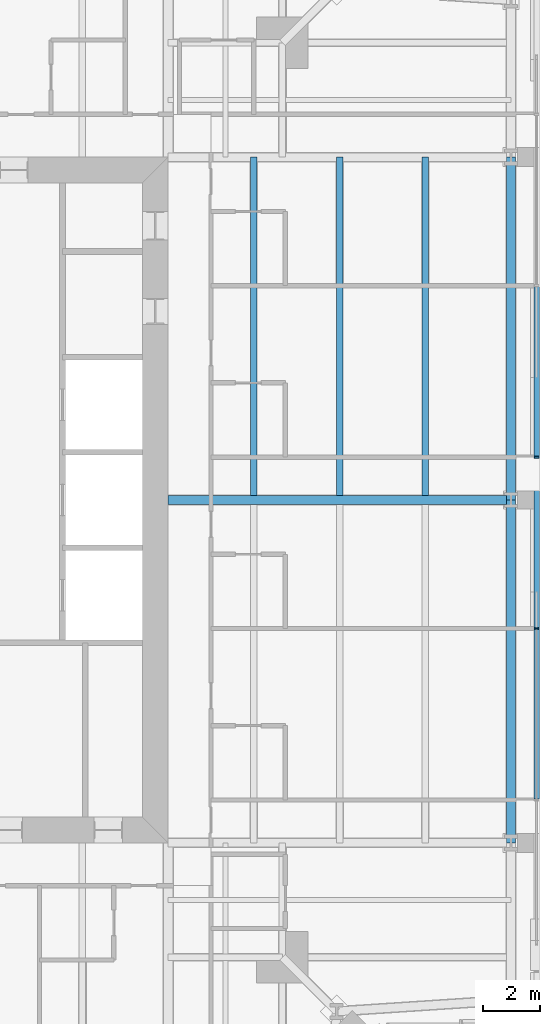
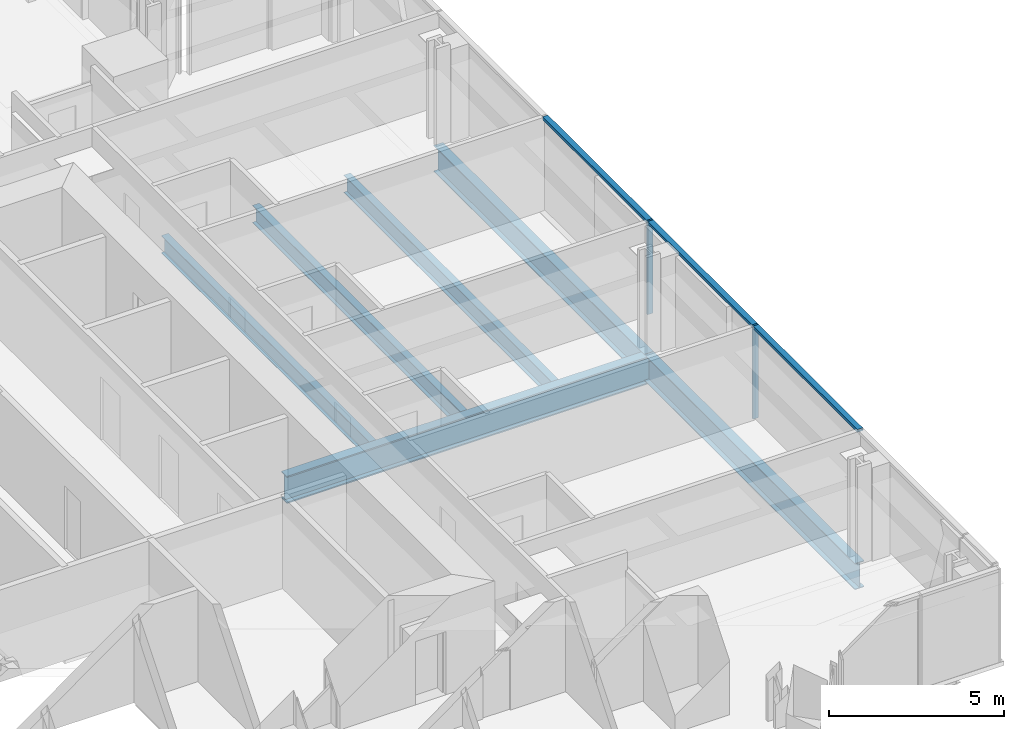
# One storey, part 6 of 20: 6 beams, 5 members, 1 element without a shape of its own.
"""IFC4 building model written with IfcOpenShell, lengths in metres."""

import ifcopenshell
import ifcopenshell.guid

model = None  # the IFC model being written
_history = None  # IfcOwnerHistory: only IFC2X3 demands one
_inside = {}  # id of a spatial element -> (the spatial element, [elements in it])
_under = {}  # id of a project, library or spatial element -> (it, [spatial elements below it])
_declared = {}  # id of a project -> (the project, [libraries it declares])
_typed = {}  # id of a type object -> (the type object, [elements of that type])
_made_of = {}  # id of a material, layer set ... -> (it, [elements and type objects made of it])


def new_model(schema):
    """Start an empty IFC model of exactly this schema.

    Asked for "IFC4X3", IfcOpenShell would pick the latest addendum, in which some entities
    have other attributes; the version numbers below select the first issue.
    IFC2X3 requires an IfcOwnerHistory on every rooted entity: one is made here for all.
    """
    global model, _history
    if schema == "IFC4X3":
        model = ifcopenshell.file(schema_version=(4, 3, 0, 0))
    else:
        model = ifcopenshell.file(schema=schema)
    _inside.clear()
    _under.clear()
    _declared.clear()
    _typed.clear()
    _made_of.clear()
    _history = None
    if model.schema == "IFC2X3":
        org = make("IfcOrganization", Name="unknown")
        user = make(
            "IfcPersonAndOrganization",
            ThePerson=make("IfcPerson", FamilyName="unknown"),
            TheOrganization=org,
        )
        app = make(
            "IfcApplication",
            ApplicationDeveloper=org,
            Version="unknown",
            ApplicationFullName="unknown",
            ApplicationIdentifier="unknown",
        )
        _history = make(
            "IfcOwnerHistory",
            OwningUser=user,
            OwningApplication=app,
            ChangeAction="ADDED",
            CreationDate=0,
        )
    return model


def make(cls, **values):
    """One entity of the class cls with the attributes given. An attribute that is None is left unset."""
    return model.create_entity(
        cls, **{name: value for name, value in values.items() if value is not None}
    )


def rooted(cls, **values):
    """An entity with a GlobalId (a new one), such as an element, a storey or a relation."""
    return make(cls, GlobalId=ifcopenshell.guid.new(), OwnerHistory=_history, **values)


def si_unit(unit_type, name, prefix=None):
    """IfcSIUnit, for example si_unit("LENGTHUNIT", "METRE", prefix="MILLI")."""
    return make("IfcSIUnit", UnitType=unit_type, Prefix=prefix, Name=name)


def assignment(units):
    """IfcUnitAssignment: the units of a project."""
    return None if units is None else make("IfcUnitAssignment", Units=units)


def point(xyz):
    """IfcCartesianPoint."""
    return None if xyz is None else make("IfcCartesianPoint", Coordinates=xyz)


def direction(xyz):
    """IfcDirection."""
    return None if xyz is None else make("IfcDirection", DirectionRatios=xyz)


def frame(location, z_axis=None, x_axis=None):
    """IfcAxis2Placement3D, a coordinate frame: its origin and axes. An axis left out is left unset."""
    return make(
        "IfcAxis2Placement3D",
        Location=point(location),
        Axis=direction(z_axis),
        RefDirection=direction(x_axis),
    )


def frame_2d(location, x_axis=None):
    """IfcAxis2Placement2D, a coordinate frame in the plane: its origin and x axis."""
    return make(
        "IfcAxis2Placement2D", Location=point(location), RefDirection=direction(x_axis)
    )


def origin():
    """The frame at (0, 0, 0) with its axes left unset."""
    return frame((0.0, 0.0, 0.0))


def origin_2d():
    """The frame at (0, 0) in the plane with its x axis left unset."""
    return frame_2d((0.0, 0.0))


def place(relative_to, where):
    """IfcLocalPlacement: puts the frame where relative to a parent placement (None: the world)."""
    return make(
        "IfcLocalPlacement", PlacementRelTo=relative_to, RelativePlacement=where
    )


def context(
    kind, dimensions, precision=None, world=None, true_north=None, identifier=None
):
    """IfcGeometricRepresentationContext, for example the 3D "Model" context."""
    return make(
        "IfcGeometricRepresentationContext",
        ContextIdentifier=identifier,
        ContextType=kind,
        CoordinateSpaceDimension=dimensions,
        Precision=precision,
        WorldCoordinateSystem=world,
        TrueNorth=true_north,
    )


def subcontext(parent, identifier, kind, view, scale=None):
    """IfcGeometricRepresentationSubContext, for example "Body" below "Model"."""
    return make(
        "IfcGeometricRepresentationSubContext",
        ContextIdentifier=identifier,
        ContextType=kind,
        ParentContext=parent,
        TargetScale=scale,
        TargetView=view,
    )


def project(units=None, contexts=None):
    """IfcProject with its units and contexts."""
    return rooted(
        "IfcProject",
        Name="project",
        RepresentationContexts=contexts,
        UnitsInContext=assignment(units),
    )


def spatial(cls, under=None, at=None, **own):
    """A site, building, storey or space (cls), placed at a placement, below another one or the project."""
    s = rooted(cls, ObjectPlacement=at, **own)
    if under is not None:
        _under.setdefault(under.id(), (under, []))[1].append(s)
    return s


def profile(cls, at=None, kind="AREA", **sizes):
    """A parametric profile (cls). Its sizes go by their IFC names, for example OverallWidth=200.0."""
    return make(cls, ProfileType=kind, Position=at, **sizes)


def rectangle(**sizes):
    """IfcRectangleProfileDef."""
    return profile("IfcRectangleProfileDef", **sizes)


def i_section(**sizes):
    """IfcIShapeProfileDef."""
    return profile("IfcIShapeProfileDef", **sizes)


def extrude(swept, where, along, depth):
    """IfcExtrudedAreaSolid: the profile swept, set in the frame where, extruded along a direction by depth."""
    return make(
        "IfcExtrudedAreaSolid",
        SweptArea=swept,
        Position=where,
        ExtrudedDirection=direction(along),
        Depth=depth,
    )


def shape(context_of_items, identifier, shape_type, items):
    """IfcShapeRepresentation: the items that make up one representation, for example the "Body"."""
    return make(
        "IfcShapeRepresentation",
        ContextOfItems=context_of_items,
        RepresentationIdentifier=identifier,
        RepresentationType=shape_type,
        Items=items,
    )


def material(Name=None, Category=None):
    """IfcMaterial."""
    return make("IfcMaterial", Name=Name, Category=Category)


def material_profile(
    of_material, cross_section, Name=None, Category=None, Priority=None
):
    """IfcMaterialProfile: a cross section and its material."""
    return make(
        "IfcMaterialProfile",
        Name=Name,
        Material=of_material,
        Profile=cross_section,
        Priority=Priority,
        Category=Category,
    )


def profile_set(profiles, Name=None, composite=None):
    """IfcMaterialProfileSet."""
    return make(
        "IfcMaterialProfileSet",
        Name=Name,
        MaterialProfiles=profiles,
        CompositeProfile=composite,
    )


def made_of(thing, what):
    """Note that an element or type object is made of a material, layer set ...; save() writes the relation."""
    if what is not None:
        _made_of.setdefault(what.id(), (what, []))[1].append(thing)
    return thing


def type_object(cls, material=None, **own):
    """A type object (cls), such as IfcWallType, which elements share."""
    return made_of(rooted(cls, **own), material)


def element(
    cls,
    number,
    at=None,
    inside=None,
    cuts=None,
    type_object=None,
    material=None,
    context=None,
    identifier="Body",
    shape_type=None,
    held_by="IfcProductDefinitionShape",
    body=None,
    shapes=None,
    **own,
):
    """One element of the class cls, such as IfcWall. Its Tag is "e" and its number.

    at: its placement. inside: the storey or other place that contains it. cuts: it is an
    opening in that element (IfcRelVoidsElement). A single representation is given by context,
    identifier, shape_type and body (its items); several are given by shapes. held_by: the class
    of the entity that holds the representations. save() writes the other relations.
    """
    e = rooted(cls, Tag="e%d" % number, ObjectPlacement=at, **own)
    if body is not None:
        shapes = [shape(context, identifier, shape_type, body)]
    if shapes is not None:
        e.Representation = make(held_by, Representations=shapes)
    if inside is not None:
        _inside.setdefault(inside.id(), (inside, []))[1].append(e)
    if cuts is not None:
        rooted(
            "IfcRelVoidsElement", RelatingBuildingElement=cuts, RelatedOpeningElement=e
        )
    if type_object is not None:
        _typed.setdefault(type_object.id(), (type_object, []))[1].append(e)
    return made_of(e, material)


def aggregate(whole, parts):
    """IfcRelAggregates: a whole, such as a stair, and the parts it consists of."""
    return rooted("IfcRelAggregates", RelatingObject=whole, RelatedObjects=parts)


def save(model, path):
    """Write the relations noted so far, then the file.

    IfcRelAggregates (storeys below a building ...), IfcRelContainedInSpatialStructure (elements
    in a storey), IfcRelDefinesByType, IfcRelAssociatesMaterial and IfcRelDeclares: one each for
    every whole, place, type object, material and project.
    """
    for whole, parts in _under.values():
        aggregate(whole, parts)
    for where, things in _inside.values():
        rooted(
            "IfcRelContainedInSpatialStructure",
            RelatedElements=things,
            RelatingStructure=where,
        )
    for kind, things in _typed.values():
        rooted("IfcRelDefinesByType", RelatedObjects=things, RelatingType=kind)
    for what, things in _made_of.values():
        rooted("IfcRelAssociatesMaterial", RelatedObjects=things, RelatingMaterial=what)
    for by, libraries in _declared.values():
        rooted("IfcRelDeclares", RelatingContext=by, RelatedDefinitions=libraries)
    model.write(path)


model = new_model("IFC4")

# Units and contexts
model_context = context("Model", 3, precision=1e-05, world=origin(), true_north=direction((0.0, 1.0)))
body_context = subcontext(model_context, "Body", "Model", "MODEL_VIEW")
ifc_project = project(units=[si_unit("LENGTHUNIT", "METRE"), si_unit("AREAUNIT", "SQUARE_METRE"), si_unit("VOLUMEUNIT", "CUBIC_METRE"), si_unit("PLANEANGLEUNIT", "RADIAN"), si_unit("MASSUNIT", "GRAM", prefix="KILO")], contexts=[model_context])

# Site, building, storey
site_placement = place(None, origin())
site = spatial("IfcSite", under=ifc_project, at=site_placement, CompositionType="ELEMENT")
building_placement = place(site_placement, origin())
building = spatial("IfcBuilding", under=site, at=building_placement, Name="Fenwick Lantern Interchange", CompositionType="ELEMENT")
storey_placement = place(building_placement, frame((0.0, 0.0, 252.60009765625)))
storey = spatial("IfcBuildingStorey", under=building, at=storey_placement, Name="L59", CompositionType="ELEMENT", Elevation=252.60009765625)

# Beams
ifc_material_1 = material(Name="Steel ASTM A992 Grade 50", Category="steel")
ifc_material_profile_1 = material_profile(ifc_material_1, i_section(OverallWidth=0.3046875, OverallDepth=0.911865234375, WebThickness=0.015869140625, FlangeThickness=0.02392578125, at=origin_2d()), Name="W36X150")
ifc_profile_set_1 = profile_set([ifc_material_profile_1], Name="Steel ASTM A992 Grade 50")
beam_type_1 = type_object("IfcBeamType", Name="EDGE BEAM W36X150", PredefinedType="SPANDREL", material=ifc_profile_set_1)
for number, where, z_axis, x_axis, name in (
    (1, (49.0, 13.0, -0.60595703125), (0.0, 1.0, 0.0), (-1.0, 0.0, 0.0), "L59/FR/E/EB2"),
    (2, (49.0, 25.0, -0.60595703125), (0.0, 1.0, 0.0), (-1.0, 0.0, 0.0), "L59/FR/E/EB3"),
):
    element("IfcBeam", number, at=place(storey_placement, frame(where, z_axis=z_axis, x_axis=x_axis)), inside=storey, type_object=beam_type_1, Name=name, PredefinedType="SPANDREL", context=body_context, shape_type="SweptSolid", body=[
        extrude(i_section(OverallWidth=0.3046875, OverallDepth=0.911865234375, WebThickness=0.015869140625, FlangeThickness=0.02392578125, at=origin_2d()), origin(), (0.0, 0.0, 1.0), 12.0),
    ])
ifc_material_profile_2 = material_profile(ifc_material_1, i_section(OverallWidth=0.22900390625, OverallDepth=0.612060546875, WebThickness=0.011962890625, FlangeThickness=0.01953125, at=origin_2d()), Name="W24X84")
ifc_profile_set_2 = profile_set([ifc_material_profile_2], Name="Steel ASTM A992 Grade 50")
beam_type_2 = type_object("IfcBeamType", Name="FLOOR BEAM W24X84", PredefinedType="BEAM", material=ifc_profile_set_2)
for number, where, z_axis, x_axis, name in (
    (3, (46.0, 25.155029296875, -0.4560546875), (0.0, 1.0, 0.0), (-1.0, 0.0, 0.0), "L59/FR/E/B04"),
    (4, (43.0, 25.155029296875, -0.4560546875), (0.0, 1.0, 0.0), (-1.0, 0.0, 0.0), "L59/FR/E/B05"),
    (5, (40.0, 25.155029296875, -0.4560546875), (0.0, 1.0, 0.0), (-1.0, 0.0, 0.0), "L59/FR/E/B06"),
):
    element("IfcBeam", number, at=place(storey_placement, frame(where, z_axis=z_axis, x_axis=x_axis)), inside=storey, type_object=beam_type_2, Name=name, PredefinedType="BEAM", context=body_context, shape_type="SweptSolid", body=[
        extrude(i_section(OverallWidth=0.22900390625, OverallDepth=0.612060546875, WebThickness=0.011962890625, FlangeThickness=0.01953125, at=origin_2d()), origin(), (0.0, 0.0, 1.0), 11.844970703125),
    ])

# Curtain wall, members
ifc_material_2 = material(Name="Aluminium curtain wall frame", Category="aluminium")
curtain_wall_type = type_object("IfcCurtainWallType", Name="HOTEL CURTAIN WALL", PredefinedType="USERDEFINED", material=ifc_material_2)
curtain_wall_placement = place(storey_placement, origin())
curtain_wall = element("IfcCurtainWall", 6, at=curtain_wall_placement, inside=storey, type_object=curtain_wall_type, Name="Hotel curtain wall 05", ObjectType="HOTEL CURTAIN WALL", PredefinedType="USERDEFINED")
ifc_material_3 = material(Name="Aluminium extrusion", Category="aluminium")
ifc_material_profile_3 = material_profile(ifc_material_3, rectangle(XDim=0.179931640625, YDim=0.06005859375, at=origin_2d()), Name="HOTEL CURTAIN WALL MULLION 60 X 180")
ifc_profile_set_3 = profile_set([ifc_material_profile_3], Name="Aluminium extrusion")
member_type_1 = type_object("IfcMemberType", Name="HOTEL CURTAIN WALL MULLION 60 X 180", PredefinedType="MULLION", material=ifc_profile_set_3)
member_1_placement = place(storey_placement, frame((49.89990234375, 20.5, 0.0), z_axis=(0.0, 0.0, 1.0), x_axis=(-1.0, 0.0, 0.0)))
member_1 = element("IfcMember", 7, at=member_1_placement, type_object=member_type_1, Name="L59/CW/05/M03", PredefinedType="MULLION", context=body_context, shape_type="SweptSolid", body=[
    extrude(rectangle(XDim=0.179931640625, YDim=0.06005859375, at=origin_2d()), origin(), (0.0, 0.0, 1.0), 3.25),
])
member_2_placement = place(storey_placement, frame((49.89990234375, 26.5, 0.0), z_axis=(0.0, 0.0, 1.0), x_axis=(-1.0, 0.0, 0.0)))
member_2 = element("IfcMember", 8, at=member_2_placement, type_object=member_type_1, Name="L59/CW/05/M04", PredefinedType="MULLION", context=body_context, shape_type="SweptSolid", body=[
    extrude(rectangle(XDim=0.179931640625, YDim=0.06005859375, at=origin_2d()), origin(), (0.0, 0.0, 1.0), 3.25),
])
ifc_material_profile_4 = material_profile(ifc_material_3, rectangle(XDim=0.179931640625, YDim=0.10009765625, at=origin_2d()), Name="HOTEL CURTAIN WALL TRANSOM 100 X 180")
ifc_profile_set_4 = profile_set([ifc_material_profile_4], Name="Aluminium extrusion")
member_type_2 = type_object("IfcMemberType", Name="HOTEL CURTAIN WALL TRANSOM 100 X 180", PredefinedType="MULLION", material=ifc_profile_set_4)
member_3_placement = place(storey_placement, frame((49.89990234375, 14.530029296875, 3.199951171875), z_axis=(0.0, 1.0, 0.0), x_axis=(-1.0, 0.0, 0.0)))
member_3 = element("IfcMember", 9, at=member_3_placement, type_object=member_type_2, Name="L59/CW/05/T02", PredefinedType="MULLION", context=body_context, shape_type="SweptSolid", body=[
    extrude(rectangle(XDim=0.179931640625, YDim=0.10009765625, at=origin_2d()), origin(), (0.0, 0.0, 1.0), 5.93994140625),
])
member_4_placement = place(storey_placement, frame((49.89990234375, 20.530029296875, 3.199951171875), z_axis=(0.0, 1.0, 0.0), x_axis=(-1.0, 0.0, 0.0)))
member_4 = element("IfcMember", 10, at=member_4_placement, type_object=member_type_2, Name="L59/CW/05/T03", PredefinedType="MULLION", context=body_context, shape_type="SweptSolid", body=[
    extrude(rectangle(XDim=0.179931640625, YDim=0.10009765625, at=origin_2d()), origin(), (0.0, 0.0, 1.0), 5.93994140625),
])
member_5_placement = place(storey_placement, frame((49.89990234375, 26.530029296875, 3.199951171875), z_axis=(0.0, 1.0, 0.0), x_axis=(-1.0, 0.0, 0.0)))
member_5 = element("IfcMember", 11, at=member_5_placement, type_object=member_type_2, Name="L59/CW/05/T04", PredefinedType="MULLION", context=body_context, shape_type="SweptSolid", body=[
    extrude(rectangle(XDim=0.179931640625, YDim=0.10009765625, at=origin_2d()), origin(), (0.0, 0.0, 1.0), 5.93994140625),
])
aggregate(curtain_wall, [member_1, member_2, member_3, member_4, member_5])

# Beam
ifc_material_profile_5 = material_profile(ifc_material_1, i_section(OverallWidth=0.309814453125, OverallDepth=0.949951171875, WebThickness=0.0244140625, FlangeThickness=0.0439453125, at=origin_2d()), Name="W36X256")
ifc_profile_set_5 = profile_set([ifc_material_profile_5], Name="Steel ASTM A992 Grade 50")
beam_type_3 = type_object("IfcBeamType", Name="MOMENT-CONNECTED GIRDER W36X256", PredefinedType="BEAM", material=ifc_profile_set_5)
beam_placement = place(storey_placement, frame((49.0, 25.0, -0.625), z_axis=(-1.0, 0.0, 0.0), x_axis=(0.0, -1.0, 0.0)))
element("IfcBeam", 12, at=beam_placement, inside=storey, type_object=beam_type_3, Name="L59/FR/E/R02", PredefinedType="BEAM", context=body_context, shape_type="SweptSolid", body=[
    extrude(i_section(OverallWidth=0.309814453125, OverallDepth=0.949951171875, WebThickness=0.0244140625, FlangeThickness=0.0439453125, at=origin_2d()), origin(), (0.0, 0.0, 1.0), 12.0),
])

save(model, "model.ifc")
